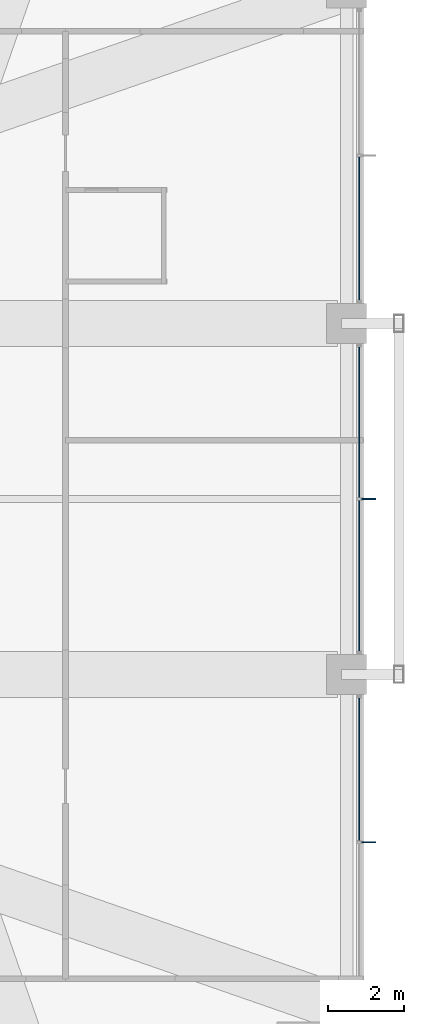
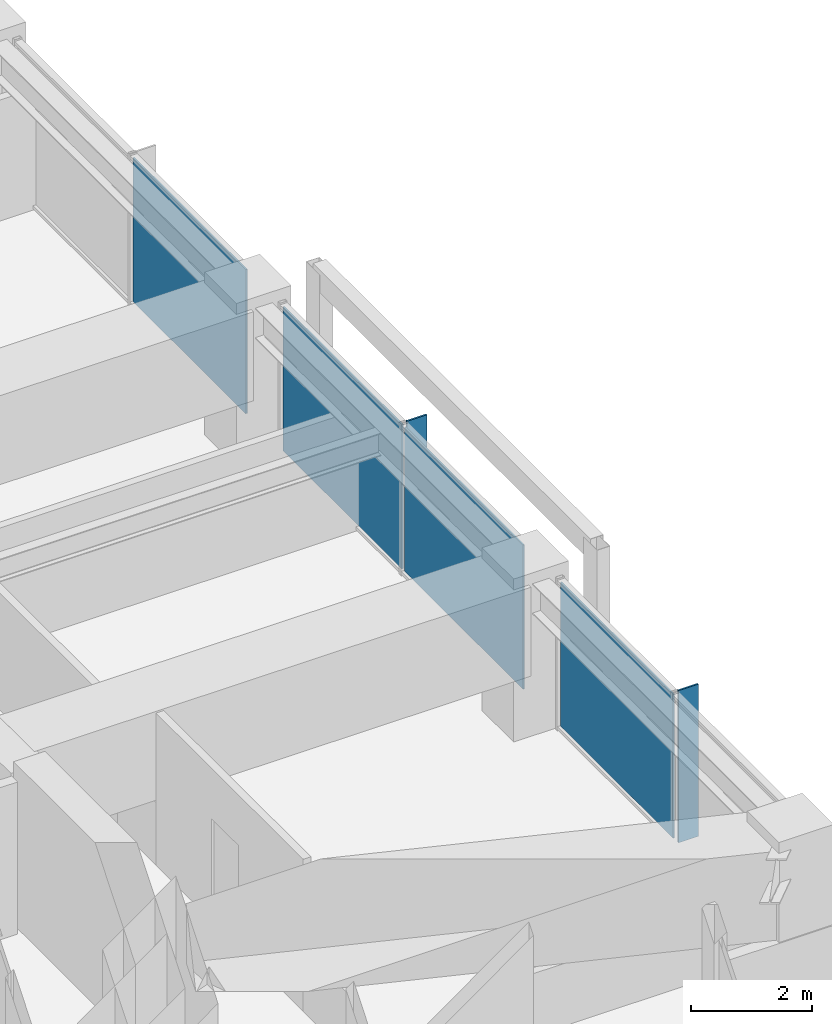
# One storey, part 30 of 39: 6 plates, 3 elements without a shape of their own.
"""IFC4 building model written with IfcOpenShell, lengths in metres."""

from ifc_helpers import new_model, si_unit, direction, frame, origin, origin_2d, place, context, subcontext, project, spatial, rectangle, extrude, material, layer, layer_set, type_object, element, aggregate, save


model = new_model("IFC4")

# Units and contexts
model_context = context("Model", 3, precision=1e-05, world=origin(), true_north=direction((0.0, 1.0)))
body_context = subcontext(model_context, "Body", "Model", "MODEL_VIEW")
ifc_project = project(units=[si_unit("LENGTHUNIT", "METRE"), si_unit("AREAUNIT", "SQUARE_METRE"), si_unit("VOLUMEUNIT", "CUBIC_METRE"), si_unit("PLANEANGLEUNIT", "RADIAN"), si_unit("MASSUNIT", "GRAM", prefix="KILO")], contexts=[model_context])

# Site, building, storey
site_placement = place(None, origin())
site = spatial("IfcSite", under=ifc_project, at=site_placement, CompositionType="ELEMENT")
building_placement = place(site_placement, origin())
building = spatial("IfcBuilding", under=site, at=building_placement, Name="Kolvaren Belvedere", CompositionType="ELEMENT")
storey_placement = place(building_placement, frame((0.0, 0.0, 85.39990234375)))
storey = spatial("IfcBuildingStorey", under=building, at=storey_placement, Name="L24", CompositionType="ELEMENT", Elevation=85.39990234375)

# Curtain wall, plate
ifc_material_1 = material(Name="Anodised pale-metal aluminium AA 6063-T6", Category="aluminium")
curtain_wall_type = type_object("IfcCurtainWallType", Name="CW-Z2-MID", PredefinedType="NOTDEFINED", material=ifc_material_1)
curtain_wall_1_placement = place(storey_placement, origin())
curtain_wall_1 = element("IfcCurtainWall", 1, at=curtain_wall_1_placement, inside=storey, type_object=curtain_wall_type, Name="L24 Unitised Curtain Wall FCW-L24-E-B1", PredefinedType="NOTDEFINED")
ifc_material_2 = material(Name="Low-iron triple insulated glass", Category="glass")
ifc_layer_1 = layer(ifc_material_2, 0.028076171875)
ifc_layer_set_1 = layer_set([ifc_layer_1], Name="Low-iron triple insulated glass")
plate_type_1 = type_object("IfcPlateType", Name="CW-PNL-VIS28", PredefinedType="CURTAIN_PANEL", material=ifc_layer_set_1)
plate_1_placement = place(storey_placement, frame((20.280029296875, 7.0888671875, 0.080078125), z_axis=(0.0, 0.0, 1.0), x_axis=(0.0, -1.0, 0.0)))
plate_1 = element("IfcPlate", 2, at=plate_1_placement, type_object=plate_type_1, Name="FCW-L24-E-B1 Vision Glazing Panel 2", PredefinedType="CURTAIN_PANEL", context=body_context, shape_type="SweptSolid", body=[
    extrude(rectangle(XDim=3.742431640625, YDim=0.028076171875, at=origin_2d()), origin(), (0.0, 0.0, 1.0), 2.919921875),
])
aggregate(curtain_wall_1, [plate_1])

# Curtain wall, plates
curtain_wall_2_placement = place(storey_placement, origin())
curtain_wall_2 = element("IfcCurtainWall", 3, at=curtain_wall_2_placement, inside=storey, type_object=curtain_wall_type, Name="L24 Unitised Curtain Wall FCW-L24-E-B2", PredefinedType="NOTDEFINED")
plate_2_placement = place(storey_placement, frame((20.280029296875, 2.01123046875, 0.080078125), z_axis=(0.0, 0.0, 1.0), x_axis=(0.0, -1.0, 0.0)))
plate_2 = element("IfcPlate", 4, at=plate_2_placement, type_object=plate_type_1, Name="FCW-L24-E-B2 Vision Glazing Panel 1", PredefinedType="CURTAIN_PANEL", context=body_context, shape_type="SweptSolid", body=[
    extrude(rectangle(XDim=3.9423828125, YDim=0.028076171875, at=origin_2d()), origin(), (0.0, 0.0, 1.0), 2.919921875),
])
plate_3_placement = place(storey_placement, frame((20.280029296875, -2.01123046875, 0.080078125), z_axis=(0.0, 0.0, 1.0), x_axis=(0.0, -1.0, 0.0)))
plate_3 = element("IfcPlate", 5, at=plate_3_placement, type_object=plate_type_1, Name="FCW-L24-E-B2 Vision Glazing Panel 2", PredefinedType="CURTAIN_PANEL", context=body_context, shape_type="SweptSolid", body=[
    extrude(rectangle(XDim=3.9423828125, YDim=0.028076171875, at=origin_2d()), origin(), (0.0, 0.0, 1.0), 2.919921875),
])
aggregate(curtain_wall_2, [plate_2, plate_3])

# Curtain wall, plate
curtain_wall_3_placement = place(storey_placement, origin())
curtain_wall_3 = element("IfcCurtainWall", 6, at=curtain_wall_3_placement, inside=storey, type_object=curtain_wall_type, Name="L24 Unitised Curtain Wall FCW-L24-E-B3", PredefinedType="NOTDEFINED")
plate_4_placement = place(storey_placement, frame((20.280029296875, -7.0888671875, 0.080078125), z_axis=(0.0, 0.0, 1.0), x_axis=(0.0, -1.0, 0.0)))
plate_4 = element("IfcPlate", 7, at=plate_4_placement, type_object=plate_type_1, Name="FCW-L24-E-B3 Vision Glazing Panel 1", PredefinedType="CURTAIN_PANEL", context=body_context, shape_type="SweptSolid", body=[
    extrude(rectangle(XDim=3.742431640625, YDim=0.028076171875, at=origin_2d()), origin(), (0.0, 0.0, 1.0), 2.919921875),
])
aggregate(curtain_wall_3, [plate_4])

# Plates
ifc_material_3 = material(Name="Anodised pale-metal aluminium AA 6063-T6", Category="aluminium")
ifc_layer_2 = layer(ifc_material_3, 0.033935546875)
ifc_layer_set_2 = layer_set([ifc_layer_2], Name="Anodised pale-metal aluminium AA 6063-T6")
plate_type_2 = type_object("IfcPlateType", Name="FIN-VERT-380", PredefinedType="USERDEFINED", material=ifc_layer_set_2)
for number, where, z_axis, x_axis, name in (
    (8, (20.52490234375, 0.0, 0.0), (0.0, 0.0, 1.0), (1.0, 0.0, 0.0), "L24 Pale-Metal Vertical Shading Fin FCW-L24-E-B2-1"),
    (9, (20.52490234375, -9.0, 0.0), (0.0, 0.0, 1.0), (1.0, 0.0, 0.0), "L24 Pale-Metal Vertical Shading Fin FCW-L24-E-B3-1"),
):
    element("IfcPlate", number, at=place(storey_placement, frame(where, z_axis=z_axis, x_axis=x_axis)), inside=storey, type_object=plate_type_2, Name=name, ObjectType="VERTICAL FIN", PredefinedType="USERDEFINED", context=body_context, shape_type="SweptSolid", body=[
        extrude(rectangle(XDim=0.3798828125, YDim=0.033935546875, at=origin_2d()), origin(), (0.0, 0.0, 1.0), 3.080078125),
    ])

save(model, "model.ifc")
